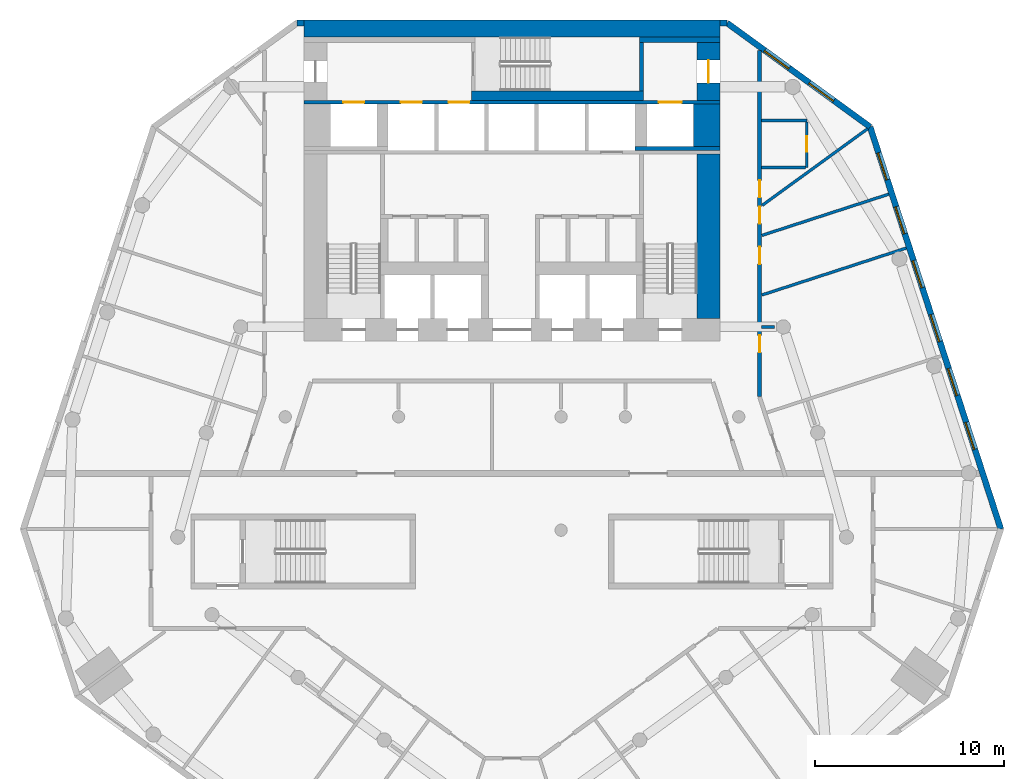
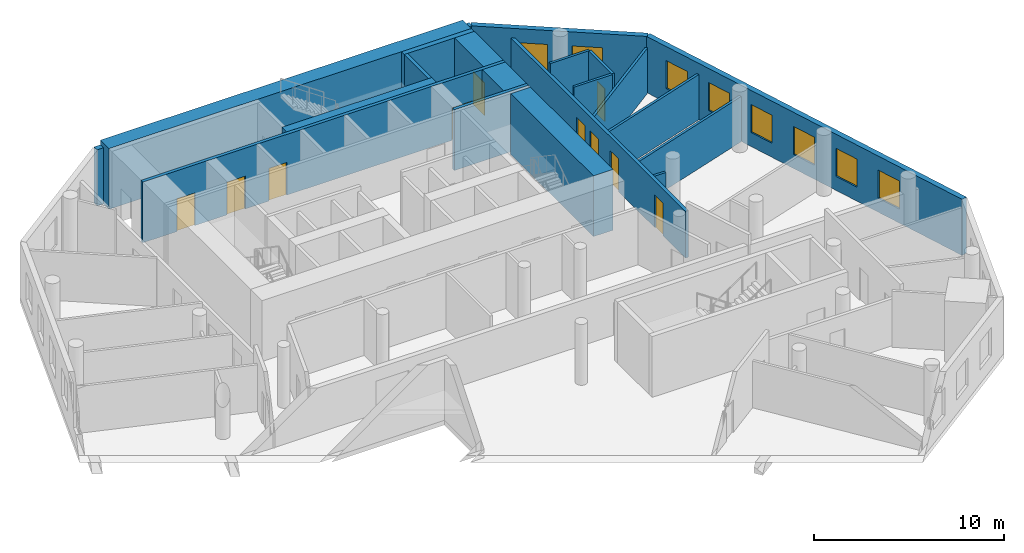
# One storey, part 6 of 9: 21 walls, 10 doors, 8 windows, 18 openings.
"""IFC4 building model written with IfcOpenShell, lengths in metres."""

from ifc_helpers import new_model, si_unit, direction, frame, frame_2d, origin, place, context, subcontext, project, spatial, rectangle, extrude, material, layer, layer_set, type_object, element, fill, save


model = new_model("IFC4")

# Units and contexts
model_context = context("Model", 3, precision=1e-05, world=origin(), true_north=direction((0.0, 1.0)))
body_context = subcontext(model_context, "Body", "Model", "MODEL_VIEW")
ifc_project = project(units=[si_unit("LENGTHUNIT", "METRE"), si_unit("AREAUNIT", "SQUARE_METRE"), si_unit("VOLUMEUNIT", "CUBIC_METRE"), si_unit("PLANEANGLEUNIT", "RADIAN"), si_unit("MASSUNIT", "GRAM", prefix="KILO")], contexts=[model_context])

# Site, building, storey
site_placement = place(None, origin())
site = spatial("IfcSite", under=ifc_project, at=site_placement, CompositionType="ELEMENT")
building_placement = place(site_placement, origin())
building = spatial("IfcBuilding", under=site, at=building_placement, Name="White Candle Pilgrim Tower", CompositionType="ELEMENT")
storey_placement = place(building_placement, frame((0.0, 0.0, 81.89990234375)))
storey = spatial("IfcBuildingStorey", under=building, at=storey_placement, Name="L17", CompositionType="ELEMENT", Elevation=81.89990234375)

# Wall, opening, door
ifc_material_1 = material(Name="Concrete C70/85", Category="concrete")
ifc_layer_1 = layer(ifc_material_1, 1.199951171875)
ifc_layer_set_1 = layer_set([ifc_layer_1], Name="Core wall 1200 mm Concrete C70/85")
wall_type_1 = type_object("IfcWallType", Name="Core wall 1200 mm Concrete C70/85", PredefinedType="SHEAR", material=ifc_layer_set_1)
wall_1_placement = place(storey_placement, frame((80.39990234375, 83.75, 0.0), z_axis=(0.0, 0.0, 1.0), x_axis=(0.0, 1.0, 0.0)))
wall_1 = element("IfcWall", 1, at=wall_1_placement, inside=storey, type_object=wall_type_1, Name="WL-L17-C48", PredefinedType="SHEAR", context=body_context, shape_type="SweptSolid", body=[
    extrude(rectangle(XDim=3.050048828125, YDim=1.199951171875, at=frame_2d((1.52490234375, 0.0))), origin(), (0.0, 0.0, 1.0), 3.900146484375),
])
opening_1_placement = place(wall_1_placement, frame((0.925048828125, 0.0, 0.0)))
opening_1 = element("IfcOpeningElement", 2, at=opening_1_placement, cuts=wall_1, Name="Opening T05-006", PredefinedType="OPENING", context=body_context, shape_type="SweptSolid", body=[
    extrude(rectangle(XDim=1.199951171875, YDim=2.10009765625, at=frame_2d((0.60009765625, 1.050048828125))), frame((0.0, 0.60986328125, 0.0), z_axis=(0.0, -1.0, 0.0), x_axis=(1.0, 0.0, 0.0)), (0.0, 0.0, 1.0), 1.219970703125),
])
ifc_material_2 = material(Name="Steel door leaf", Category="steel")
door_type_1 = type_object("IfcDoorType", Name="Fire door 1200 x 2100 EI 30", OperationType="NOTDEFINED", PredefinedType="DOOR", material=ifc_material_2)
door_1_placement = place(opening_1_placement, origin())
door_1 = element("IfcDoor", 3, at=door_1_placement, inside=storey, type_object=door_type_1, Name="Door T05-006", OperationType="SINGLE_SWING_RIGHT", OverallHeight=2.10009765625, OverallWidth=1.199951171875, PredefinedType="DOOR", context=body_context, shape_type="SweptSolid", body=[
    extrude(rectangle(XDim=1.199951171875, YDim=2.10009765625, at=frame_2d((0.60009765625, 1.050048828125))), frame((0.0, 0.02490234375, 0.0), z_axis=(0.0, -1.0, 0.0), x_axis=(1.0, 0.0, 0.0)), (0.0, 0.0, 1.0), 0.050048828125),
])
fill(opening_1, door_1)

# Walls
ifc_layer_2 = layer(ifc_material_1, 1.39990234375)
ifc_layer_set_2 = layer_set([ifc_layer_2], Name="Core wall 1400 mm Concrete C70/85")
wall_type_2 = type_object("IfcWallType", Name="Core wall 1400 mm Concrete C70/85", PredefinedType="SHEAR", material=ifc_layer_set_2)
wall_2_placement = place(storey_placement, frame((80.300048828125, 81.300048828125, 0.0), z_axis=(0.0, 0.0, 1.0), x_axis=(0.0, 1.0, 0.0)))
element("IfcWall", 4, at=wall_2_placement, inside=storey, type_object=wall_type_2, Name="WL-L17-C44", PredefinedType="SHEAR", context=body_context, shape_type="SweptSolid", body=[
    extrude(rectangle(XDim=2.25, YDim=1.39990234375, at=frame_2d((1.125, 0.0))), origin(), (0.0, 0.0, 1.0), 3.900146484375),
])
ifc_layer_3 = layer(ifc_material_1, 0.199951171875)
ifc_layer_set_3 = layer_set([ifc_layer_3], Name="Core wall 200 mm Concrete C70/85")
wall_type_3 = type_object("IfcWallType", Name="Core wall 200 mm Concrete C70/85", PredefinedType="SHEAR", material=ifc_layer_set_3)
wall_3_placement = place(storey_placement, frame((76.5, 81.199951171875, 0.0), z_axis=(0.0, 0.0, 1.0), x_axis=(1.0, 0.0, 0.0)))
element("IfcWall", 5, at=wall_3_placement, inside=storey, type_object=wall_type_3, Name="WL-L17-C40", PredefinedType="SHEAR", context=body_context, shape_type="SweptSolid", body=[
    extrude(rectangle(XDim=4.5, YDim=0.199951171875, at=frame_2d((2.25, 0.0))), origin(), (0.0, 0.0, 1.0), 3.900146484375),
])

# Wall, openings, doors
wall_4_placement = place(storey_placement, frame((59.0, 83.64990234375, 0.0), z_axis=(0.0, 0.0, 1.0), x_axis=(1.0, 0.0, 0.0)))
wall_4 = element("IfcWall", 6, at=wall_4_placement, inside=storey, type_object=wall_type_3, Name="WL-L17-C45", PredefinedType="SHEAR", context=body_context, shape_type="SweptSolid", body=[
    extrude(rectangle(XDim=22.0, YDim=0.199951171875, at=frame_2d((11.0, 0.0))), origin(), (0.0, 0.0, 1.0), 3.900146484375),
])
opening_2_placement = place(wall_4_placement, frame((5.125, 0.0, 0.0)))
opening_2 = element("IfcOpeningElement", 7, at=opening_2_placement, cuts=wall_4, Name="Opening T05-011", PredefinedType="OPENING", context=body_context, shape_type="SweptSolid", body=[
    extrude(rectangle(XDim=1.10009765625, YDim=2.10009765625, at=frame_2d((0.550048828125, 1.050048828125))), frame((0.0, 0.10986328125, 0.0), z_axis=(0.0, -1.0, 0.0), x_axis=(1.0, 0.0, 0.0)), (0.0, 0.0, 1.0), 0.219970703125),
])
opening_3_placement = place(wall_4_placement, frame((7.64990234375, 0.0, 0.0)))
opening_3 = element("IfcOpeningElement", 8, at=opening_3_placement, cuts=wall_4, Name="Opening T05-012", PredefinedType="OPENING", context=body_context, shape_type="SweptSolid", body=[
    extrude(rectangle(XDim=1.10009765625, YDim=2.10009765625, at=frame_2d((0.550048828125, 1.050048828125))), frame((0.0, 0.10986328125, 0.0), z_axis=(0.0, -1.0, 0.0), x_axis=(1.0, 0.0, 0.0)), (0.0, 0.0, 1.0), 0.219970703125),
])
opening_4_placement = place(wall_4_placement, frame((18.77490234375, 0.0, 0.0)))
opening_4 = element("IfcOpeningElement", 9, at=opening_4_placement, cuts=wall_4, Name="Opening T05-018", PredefinedType="OPENING", context=body_context, shape_type="SweptSolid", body=[
    extrude(rectangle(XDim=1.199951171875, YDim=2.10009765625, at=frame_2d((0.60009765625, 1.050048828125))), frame((0.0, 0.10986328125, 0.0), z_axis=(0.0, -1.0, 0.0), x_axis=(1.0, 0.0, 0.0)), (0.0, 0.0, 1.0), 0.219970703125),
])
opening_5_placement = place(wall_4_placement, frame((2.074951171875, 0.0, 0.0)))
opening_5 = element("IfcOpeningElement", 10, at=opening_5_placement, cuts=wall_4, Name="Opening T05-019", PredefinedType="OPENING", context=body_context, shape_type="SweptSolid", body=[
    extrude(rectangle(XDim=1.10009765625, YDim=2.10009765625, at=frame_2d((0.550048828125, 1.050048828125))), frame((0.0, 0.10986328125, 0.0), z_axis=(0.0, -1.0, 0.0), x_axis=(1.0, 0.0, 0.0)), (0.0, 0.0, 1.0), 0.219970703125),
])
ifc_material_3 = material(Name="Stainless steel", Category="steel")
door_type_2 = type_object("IfcDoorType", Name="Lift landing door 1100 x 2100 EI 60", OperationType="DOUBLE_DOOR_SLIDING", PredefinedType="DOOR", material=ifc_material_3)
door_2_placement = place(opening_2_placement, origin())
door_2 = element("IfcDoor", 11, at=door_2_placement, inside=storey, type_object=door_type_2, Name="Door T05-011", OperationType="DOUBLE_DOOR_SLIDING", OverallHeight=2.10009765625, OverallWidth=1.10009765625, PredefinedType="DOOR", context=body_context, shape_type="SweptSolid", body=[
    extrude(rectangle(XDim=1.10009765625, YDim=2.10009765625, at=frame_2d((0.550048828125, 1.050048828125))), frame((0.0, 0.02490234375, 0.0), z_axis=(0.0, -1.0, 0.0), x_axis=(1.0, 0.0, 0.0)), (0.0, 0.0, 1.0), 0.050048828125),
])
fill(opening_2, door_2)
door_3_placement = place(opening_3_placement, origin())
door_3 = element("IfcDoor", 12, at=door_3_placement, inside=storey, type_object=door_type_2, Name="Door T05-012", OperationType="DOUBLE_DOOR_SLIDING", OverallHeight=2.10009765625, OverallWidth=1.10009765625, PredefinedType="DOOR", context=body_context, shape_type="SweptSolid", body=[
    extrude(rectangle(XDim=1.10009765625, YDim=2.10009765625, at=frame_2d((0.550048828125, 1.050048828125))), frame((0.0, 0.02490234375, 0.0), z_axis=(0.0, -1.0, 0.0), x_axis=(1.0, 0.0, 0.0)), (0.0, 0.0, 1.0), 0.050048828125),
])
fill(opening_3, door_3)
door_4_placement = place(opening_5_placement, origin())
door_4 = element("IfcDoor", 13, at=door_4_placement, inside=storey, type_object=door_type_2, Name="Door T05-019", OperationType="DOUBLE_DOOR_SLIDING", OverallHeight=2.10009765625, OverallWidth=1.10009765625, PredefinedType="DOOR", context=body_context, shape_type="SweptSolid", body=[
    extrude(rectangle(XDim=1.10009765625, YDim=2.10009765625, at=frame_2d((0.550048828125, 1.050048828125))), frame((0.0, 0.02490234375, 0.0), z_axis=(0.0, -1.0, 0.0), x_axis=(1.0, 0.0, 0.0)), (0.0, 0.0, 1.0), 0.050048828125),
])
fill(opening_5, door_4)
door_type_3 = type_object("IfcDoorType", Name="Lift landing door 1200 x 2100 E 60", OperationType="DOUBLE_DOOR_SLIDING", PredefinedType="DOOR", material=ifc_material_3)
door_5_placement = place(opening_4_placement, origin())
door_5 = element("IfcDoor", 14, at=door_5_placement, inside=storey, type_object=door_type_3, Name="Door T05-018", OperationType="DOUBLE_DOOR_SLIDING", OverallHeight=2.10009765625, OverallWidth=1.199951171875, PredefinedType="DOOR", context=body_context, shape_type="SweptSolid", body=[
    extrude(rectangle(XDim=1.199951171875, YDim=2.10009765625, at=frame_2d((0.60009765625, 1.050048828125))), frame((0.0, 0.02490234375, 0.0), z_axis=(0.0, -1.0, 0.0), x_axis=(1.0, 0.0, 0.0)), (0.0, 0.0, 1.0), 0.050048828125),
])
fill(opening_4, door_5)

ifc_material_4 = material(Name="Gypsum board on steel studs", Category="steel")
ifc_layer_4 = layer(ifc_material_4, 0.199951171875)
ifc_layer_set_4 = layer_set([ifc_layer_4], Name="Corridor wall 200 mm EI 45")
wall_type_4 = type_object("IfcWallType", Name="Corridor wall 200 mm EI 45", PredefinedType="PARTITIONING", material=ifc_layer_set_4)
wall_5_placement = place(storey_placement, frame((83.10009765625, 86.396240234375, 0.0), z_axis=(0.0, 0.0, 1.0), x_axis=(0.0, -1.0, 0.0)))
wall_5 = element("IfcWall", 15, at=wall_5_placement, inside=storey, type_object=wall_type_4, Name="WL-L17-P004", PredefinedType="PARTITIONING", context=body_context, shape_type="SweptSolid", body=[
    extrude(rectangle(XDim=18.3193359375, YDim=0.199951171875, at=frame_2d((9.15966796875, 0.0))), origin(), (0.0, 0.0, 1.0), 3.0),
])
opening_6_placement = place(wall_5_placement, frame((6.8818359375, 0.0, 0.0)))
opening_6 = element("IfcOpeningElement", 16, at=opening_6_placement, cuts=wall_5, Name="Opening T05-124", PredefinedType="OPENING", context=body_context, shape_type="SweptSolid", body=[
    extrude(rectangle(XDim=0.89990234375, YDim=2.10009765625, at=frame_2d((0.449951171875, 1.050048828125))), frame((0.0, 0.10986328125, 0.0), z_axis=(0.0, -1.0, 0.0), x_axis=(1.0, 0.0, 0.0)), (0.0, 0.0, 1.0), 0.219970703125),
])
opening_7_placement = place(wall_5_placement, frame((8.273193359375, 0.0, 0.0)))
opening_7 = element("IfcOpeningElement", 17, at=opening_7_placement, cuts=wall_5, Name="Opening T05-125", PredefinedType="OPENING", context=body_context, shape_type="SweptSolid", body=[
    extrude(rectangle(XDim=0.89990234375, YDim=2.10009765625, at=frame_2d((0.449951171875, 1.050048828125))), frame((0.0, 0.10986328125, 0.0), z_axis=(0.0, -1.0, 0.0), x_axis=(1.0, 0.0, 0.0)), (0.0, 0.0, 1.0), 0.219970703125),
])
opening_8_placement = place(wall_5_placement, frame((10.408935546875, 0.0, 0.0)))
opening_8 = element("IfcOpeningElement", 18, at=opening_8_placement, cuts=wall_5, Name="Opening T05-126", PredefinedType="OPENING", context=body_context, shape_type="SweptSolid", body=[
    extrude(rectangle(XDim=0.89990234375, YDim=2.10009765625, at=frame_2d((0.449951171875, 1.050048828125))), frame((0.0, 0.10986328125, 0.0), z_axis=(0.0, -1.0, 0.0), x_axis=(1.0, 0.0, 0.0)), (0.0, 0.0, 1.0), 0.219970703125),
])
opening_9_placement = place(wall_5_placement, frame((15.08837890625, 0.0, 0.0)))
opening_9 = element("IfcOpeningElement", 19, at=opening_9_placement, cuts=wall_5, Name="Opening T05-127", PredefinedType="OPENING", context=body_context, shape_type="SweptSolid", body=[
    extrude(rectangle(XDim=0.89990234375, YDim=2.10009765625, at=frame_2d((0.449951171875, 1.050048828125))), frame((0.0, 0.10986328125, 0.0), z_axis=(0.0, -1.0, 0.0), x_axis=(1.0, 0.0, 0.0)), (0.0, 0.0, 1.0), 0.219970703125),
])
door_type_4 = type_object("IfcDoorType", Name="Fire door 900 x 2100 EI 30", OperationType="NOTDEFINED", PredefinedType="DOOR", material=ifc_material_2)
door_6_placement = place(opening_6_placement, origin())
door_6 = element("IfcDoor", 20, at=door_6_placement, inside=storey, type_object=door_type_4, Name="Door T05-124", OperationType="SINGLE_SWING_RIGHT", OverallHeight=2.10009765625, OverallWidth=0.89990234375, PredefinedType="DOOR", context=body_context, shape_type="SweptSolid", body=[
    extrude(rectangle(XDim=0.89990234375, YDim=2.10009765625, at=frame_2d((0.449951171875, 1.050048828125))), frame((0.0, 0.02490234375, 0.0), z_axis=(0.0, -1.0, 0.0), x_axis=(1.0, 0.0, 0.0)), (0.0, 0.0, 1.0), 0.050048828125),
])
fill(opening_6, door_6)
door_7_placement = place(opening_7_placement, origin())
door_7 = element("IfcDoor", 21, at=door_7_placement, inside=storey, type_object=door_type_4, Name="Door T05-125", OperationType="SINGLE_SWING_LEFT", OverallHeight=2.10009765625, OverallWidth=0.89990234375, PredefinedType="DOOR", context=body_context, shape_type="SweptSolid", body=[
    extrude(rectangle(XDim=0.89990234375, YDim=2.10009765625, at=frame_2d((0.449951171875, 1.050048828125))), frame((0.0, 0.02490234375, 0.0), z_axis=(0.0, -1.0, 0.0), x_axis=(1.0, 0.0, 0.0)), (0.0, 0.0, 1.0), 0.050048828125),
])
fill(opening_7, door_7)
door_8_placement = place(opening_8_placement, origin())
door_8 = element("IfcDoor", 22, at=door_8_placement, inside=storey, type_object=door_type_4, Name="Door T05-126", OperationType="SINGLE_SWING_RIGHT", OverallHeight=2.10009765625, OverallWidth=0.89990234375, PredefinedType="DOOR", context=body_context, shape_type="SweptSolid", body=[
    extrude(rectangle(XDim=0.89990234375, YDim=2.10009765625, at=frame_2d((0.449951171875, 1.050048828125))), frame((0.0, 0.02490234375, 0.0), z_axis=(0.0, -1.0, 0.0), x_axis=(1.0, 0.0, 0.0)), (0.0, 0.0, 1.0), 0.050048828125),
])
fill(opening_8, door_8)
door_9_placement = place(opening_9_placement, origin())
door_9 = element("IfcDoor", 23, at=door_9_placement, inside=storey, type_object=door_type_4, Name="Door T05-127", OperationType="SINGLE_SWING_LEFT", OverallHeight=2.10009765625, OverallWidth=0.89990234375, PredefinedType="DOOR", context=body_context, shape_type="SweptSolid", body=[
    extrude(rectangle(XDim=0.89990234375, YDim=2.10009765625, at=frame_2d((0.449951171875, 1.050048828125))), frame((0.0, 0.02490234375, 0.0), z_axis=(0.0, -1.0, 0.0), x_axis=(1.0, 0.0, 0.0)), (0.0, 0.0, 1.0), 0.050048828125),
])
fill(opening_9, door_9)

# Wall, openings, windows
ifc_material_5 = material(Name="Precast concrete C40/50", Category="concrete")
ifc_layer_5 = layer(ifc_material_5, 0.320068359375)
ifc_layer_set_5 = layer_set([ifc_layer_5], Name="Facade wall EW1 precast concrete C40/50 pier wall with timber-lined reveals")
wall_type_5 = type_object("IfcWallType", Name="Facade wall EW1 precast concrete C40/50 pier wall with timber-lined reveals", PredefinedType="SOLIDWALL", material=ifc_layer_set_5)
wall_6_placement = place(storey_placement, frame((95.868408203125, 61.059814453125, 0.0), z_axis=(0.0, 0.0, 1.0), x_axis=(-0.309020941063, 0.951055233929, 0.0)))
wall_6 = element("IfcWall", 24, at=wall_6_placement, inside=storey, type_object=wall_type_5, Name="Facade wall L17 ENE", PredefinedType="SOLIDWALL", context=body_context, shape_type="SweptSolid", body=[
    extrude(rectangle(XDim=22.37646484375, YDim=0.320068359375, at=frame_2d((11.188232421875, 0.0))), origin(), (0.0, 0.0, 1.0), 3.60009765625),
])
opening_10_placement = place(wall_6_placement, frame((4.438232421875, 0.0, 0.89990234375)))
opening_10 = element("IfcOpeningElement", 25, at=opening_10_placement, cuts=wall_6, Name="Opening W1", PredefinedType="OPENING", context=body_context, shape_type="SweptSolid", body=[
    extrude(rectangle(XDim=1.5, YDim=1.800048828125, at=frame_2d((0.75, 0.89990234375))), frame((0.0, 0.169921875, 0.0), z_axis=(0.0, -1.0, 0.0), x_axis=(1.0, 0.0, 0.0)), (0.0, 0.0, 1.0), 0.340087890625),
])
opening_11_placement = place(wall_6_placement, frame((7.438232421875, 0.0, 0.89990234375)))
opening_11 = element("IfcOpeningElement", 26, at=opening_11_placement, cuts=wall_6, Name="Opening W1", PredefinedType="OPENING", context=body_context, shape_type="SweptSolid", body=[
    extrude(rectangle(XDim=1.5, YDim=1.800048828125, at=frame_2d((0.75, 0.89990234375))), frame((0.0, 0.169921875, 0.0), z_axis=(0.0, -1.0, 0.0), x_axis=(1.0, 0.0, 0.0)), (0.0, 0.0, 1.0), 0.340087890625),
])
opening_12_placement = place(wall_6_placement, frame((10.438232421875, 0.0, 0.89990234375)))
opening_12 = element("IfcOpeningElement", 27, at=opening_12_placement, cuts=wall_6, Name="Opening W1", PredefinedType="OPENING", context=body_context, shape_type="SweptSolid", body=[
    extrude(rectangle(XDim=1.5, YDim=1.800048828125, at=frame_2d((0.75, 0.89990234375))), frame((0.0, 0.169921875, 0.0), z_axis=(0.0, -1.0, 0.0), x_axis=(1.0, 0.0, 0.0)), (0.0, 0.0, 1.0), 0.340087890625),
])
opening_13_placement = place(wall_6_placement, frame((13.438232421875, 0.0, 0.89990234375)))
opening_13 = element("IfcOpeningElement", 28, at=opening_13_placement, cuts=wall_6, Name="Opening W1", PredefinedType="OPENING", context=body_context, shape_type="SweptSolid", body=[
    extrude(rectangle(XDim=1.5, YDim=1.800048828125, at=frame_2d((0.75, 0.89990234375))), frame((0.0, 0.169921875, 0.0), z_axis=(0.0, -1.0, 0.0), x_axis=(1.0, 0.0, 0.0)), (0.0, 0.0, 1.0), 0.340087890625),
])
opening_14_placement = place(wall_6_placement, frame((16.438232421875, 0.0, 0.89990234375)))
opening_14 = element("IfcOpeningElement", 29, at=opening_14_placement, cuts=wall_6, Name="Opening W1", PredefinedType="OPENING", context=body_context, shape_type="SweptSolid", body=[
    extrude(rectangle(XDim=1.5, YDim=1.800048828125, at=frame_2d((0.75, 0.89990234375))), frame((0.0, 0.169921875, 0.0), z_axis=(0.0, -1.0, 0.0), x_axis=(1.0, 0.0, 0.0)), (0.0, 0.0, 1.0), 0.340087890625),
])
opening_15_placement = place(wall_6_placement, frame((19.438232421875, 0.0, 0.89990234375)))
opening_15 = element("IfcOpeningElement", 30, at=opening_15_placement, cuts=wall_6, Name="Opening W1", PredefinedType="OPENING", context=body_context, shape_type="SweptSolid", body=[
    extrude(rectangle(XDim=1.5, YDim=1.800048828125, at=frame_2d((0.75, 0.89990234375))), frame((0.0, 0.169921875, 0.0), z_axis=(0.0, -1.0, 0.0), x_axis=(1.0, 0.0, 0.0)), (0.0, 0.0, 1.0), 0.340087890625),
])
ifc_material_6 = material(Name="Timber frame with triple glazing", Category="wood")
window_type_1 = type_object("IfcWindowType", Name="Window W1 1500x1800 timber frame triple glazing", PartitioningType="SINGLE_PANEL", PredefinedType="WINDOW", material=ifc_material_6)
window_1_placement = place(opening_10_placement, origin())
window_1 = element("IfcWindow", 31, at=window_1_placement, inside=storey, type_object=window_type_1, Name="Window W1 L17 ENE 2", OverallHeight=1.800048828125, OverallWidth=1.5, PartitioningType="SINGLE_PANEL", PredefinedType="WINDOW", context=body_context, shape_type="SweptSolid", body=[
    extrude(rectangle(XDim=1.5, YDim=1.800048828125, at=frame_2d((0.75, 0.89990234375))), frame((0.0, 0.070068359375, 0.0), z_axis=(0.0, -1.0, 0.0), x_axis=(1.0, 0.0, 0.0)), (0.0, 0.0, 1.0), 0.06005859375),
])
fill(opening_10, window_1)
window_2_placement = place(opening_11_placement, origin())
window_2 = element("IfcWindow", 32, at=window_2_placement, inside=storey, type_object=window_type_1, Name="Window W1 L17 ENE 3", OverallHeight=1.800048828125, OverallWidth=1.5, PartitioningType="SINGLE_PANEL", PredefinedType="WINDOW", context=body_context, shape_type="SweptSolid", body=[
    extrude(rectangle(XDim=1.5, YDim=1.800048828125, at=frame_2d((0.75, 0.89990234375))), frame((0.0, 0.070068359375, 0.0), z_axis=(0.0, -1.0, 0.0), x_axis=(1.0, 0.0, 0.0)), (0.0, 0.0, 1.0), 0.06005859375),
])
fill(opening_11, window_2)
window_3_placement = place(opening_12_placement, origin())
window_3 = element("IfcWindow", 33, at=window_3_placement, inside=storey, type_object=window_type_1, Name="Window W1 L17 ENE 4", OverallHeight=1.800048828125, OverallWidth=1.5, PartitioningType="SINGLE_PANEL", PredefinedType="WINDOW", context=body_context, shape_type="SweptSolid", body=[
    extrude(rectangle(XDim=1.5, YDim=1.800048828125, at=frame_2d((0.75, 0.89990234375))), frame((0.0, 0.070068359375, 0.0), z_axis=(0.0, -1.0, 0.0), x_axis=(1.0, 0.0, 0.0)), (0.0, 0.0, 1.0), 0.06005859375),
])
fill(opening_12, window_3)
window_4_placement = place(opening_13_placement, origin())
window_4 = element("IfcWindow", 34, at=window_4_placement, inside=storey, type_object=window_type_1, Name="Window W1 L17 ENE 5", OverallHeight=1.800048828125, OverallWidth=1.5, PartitioningType="SINGLE_PANEL", PredefinedType="WINDOW", context=body_context, shape_type="SweptSolid", body=[
    extrude(rectangle(XDim=1.5, YDim=1.800048828125, at=frame_2d((0.75, 0.89990234375))), frame((0.0, 0.070068359375, 0.0), z_axis=(0.0, -1.0, 0.0), x_axis=(1.0, 0.0, 0.0)), (0.0, 0.0, 1.0), 0.06005859375),
])
fill(opening_13, window_4)
window_5_placement = place(opening_14_placement, origin())
window_5 = element("IfcWindow", 35, at=window_5_placement, inside=storey, type_object=window_type_1, Name="Window W1 L17 ENE 6", OverallHeight=1.800048828125, OverallWidth=1.5, PartitioningType="SINGLE_PANEL", PredefinedType="WINDOW", context=body_context, shape_type="SweptSolid", body=[
    extrude(rectangle(XDim=1.5, YDim=1.800048828125, at=frame_2d((0.75, 0.89990234375))), frame((0.0, 0.070068359375, 0.0), z_axis=(0.0, -1.0, 0.0), x_axis=(1.0, 0.0, 0.0)), (0.0, 0.0, 1.0), 0.06005859375),
])
fill(opening_14, window_5)
window_6_placement = place(opening_15_placement, origin())
window_6 = element("IfcWindow", 36, at=window_6_placement, inside=storey, type_object=window_type_1, Name="Window W1 L17 ENE 7", OverallHeight=1.800048828125, OverallWidth=1.5, PartitioningType="SINGLE_PANEL", PredefinedType="WINDOW", context=body_context, shape_type="SweptSolid", body=[
    extrude(rectangle(XDim=1.5, YDim=1.800048828125, at=frame_2d((0.75, 0.89990234375))), frame((0.0, 0.070068359375, 0.0), z_axis=(0.0, -1.0, 0.0), x_axis=(1.0, 0.0, 0.0)), (0.0, 0.0, 1.0), 0.06005859375),
])
fill(opening_15, window_6)

wall_7_placement = place(storey_placement, frame((88.95361328125, 82.341064453125, 0.0), z_axis=(0.0, 0.0, 1.0), x_axis=(-0.809011346894, 0.587793025304, 0.0)))
wall_7 = element("IfcWall", 37, at=wall_7_placement, inside=storey, type_object=wall_type_5, Name="Facade wall L17 NE chamfer", PredefinedType="SOLIDWALL", context=body_context, shape_type="SweptSolid", body=[
    extrude(rectangle(XDim=9.35546875, YDim=0.320068359375, at=frame_2d((4.677734375, 0.0))), origin(), (0.0, 0.0, 1.0), 3.60009765625),
])
opening_16_placement = place(wall_7_placement, frame((2.377685546875, 0.0, 0.89990234375)))
opening_16 = element("IfcOpeningElement", 38, at=opening_16_placement, cuts=wall_7, Name="Opening W2", PredefinedType="OPENING", context=body_context, shape_type="SweptSolid", body=[
    extrude(rectangle(XDim=1.60009765625, YDim=1.800048828125, at=frame_2d((0.800048828125, 0.89990234375))), frame((0.0, 0.169921875, 0.0), z_axis=(0.0, -1.0, 0.0), x_axis=(1.0, 0.0, 0.0)), (0.0, 0.0, 1.0), 0.340087890625),
])
opening_17_placement = place(wall_7_placement, frame((5.295654296875, 0.0, 0.89990234375)))
opening_17 = element("IfcOpeningElement", 39, at=opening_17_placement, cuts=wall_7, Name="Opening W2", PredefinedType="OPENING", context=body_context, shape_type="SweptSolid", body=[
    extrude(rectangle(XDim=1.60009765625, YDim=1.800048828125, at=frame_2d((0.800048828125, 0.89990234375))), frame((0.0, 0.169921875, 0.0), z_axis=(0.0, -1.0, 0.0), x_axis=(1.0, 0.0, 0.0)), (0.0, 0.0, 1.0), 0.340087890625),
])
window_type_2 = type_object("IfcWindowType", Name="Window W2 1600x1800 timber frame triple glazing", PartitioningType="SINGLE_PANEL", PredefinedType="WINDOW", material=ifc_material_6)
window_7_placement = place(opening_16_placement, origin())
window_7 = element("IfcWindow", 40, at=window_7_placement, inside=storey, type_object=window_type_2, Name="Window W2 L17 NE chamfer 1", OverallHeight=1.800048828125, OverallWidth=1.60009765625, PartitioningType="SINGLE_PANEL", PredefinedType="WINDOW", context=body_context, shape_type="SweptSolid", body=[
    extrude(rectangle(XDim=1.60009765625, YDim=1.800048828125, at=frame_2d((0.800048828125, 0.89990234375))), frame((0.0, 0.070068359375, 0.0), z_axis=(0.0, -1.0, 0.0), x_axis=(1.0, 0.0, 0.0)), (0.0, 0.0, 1.0), 0.06005859375),
])
fill(opening_16, window_7)
window_8_placement = place(opening_17_placement, origin())
window_8 = element("IfcWindow", 41, at=window_8_placement, inside=storey, type_object=window_type_2, Name="Window W2 L17 NE chamfer 2", OverallHeight=1.800048828125, OverallWidth=1.60009765625, PartitioningType="SINGLE_PANEL", PredefinedType="WINDOW", context=body_context, shape_type="SweptSolid", body=[
    extrude(rectangle(XDim=1.60009765625, YDim=1.800048828125, at=frame_2d((0.800048828125, 0.89990234375))), frame((0.0, 0.070068359375, 0.0), z_axis=(0.0, -1.0, 0.0), x_axis=(1.0, 0.0, 0.0)), (0.0, 0.0, 1.0), 0.06005859375),
])
fill(opening_17, window_8)

# Walls
for number, where, z_axis, x_axis, name in (
    (42, (81.385009765625, 87.840087890625, 0.0), (0.0, 0.0, 1.0), (-1.0, 0.0, 0.0), "Facade wall L17 N"),
    (43, (59.0, 87.840087890625, 0.0), (0.0, 0.0, 1.0), (-1.0, 0.0, 0.0), "Facade wall L17 N"),
):
    element("IfcWall", number, at=place(storey_placement, frame(where, z_axis=z_axis, x_axis=x_axis)), inside=storey, type_object=wall_type_5, Name=name, PredefinedType="SOLIDWALL", context=body_context, shape_type="SweptSolid", body=[
        extrude(rectangle(XDim=0.385009765625, YDim=0.320068359375, at=frame_2d((0.1923828125, 0.0))), origin(), (0.0, 0.0, 1.0), 3.60009765625),
    ])
ifc_layer_6 = layer(ifc_material_4, 0.14990234375)
ifc_layer_set_6 = layer_set([ifc_layer_6], Name="Partition 150 mm EI 60")
wall_type_6 = type_object("IfcWallType", Name="Partition 150 mm EI 60", PredefinedType="PARTITIONING", material=ifc_layer_set_6)
wall_8_placement = place(storey_placement, frame((88.817626953125, 82.2421875, 0.0), z_axis=(0.0, 0.0, 1.0), x_axis=(-0.809004176409, -0.587802894305, 0.0)))
element("IfcWall", 44, at=wall_8_placement, inside=storey, type_object=wall_type_6, Name="WL-L17-P023", PredefinedType="PARTITIONING", context=body_context, shape_type="SweptSolid", body=[
    extrude(rectangle(XDim=6.889404296875, YDim=0.14990234375, at=frame_2d((3.44482421875, 0.0))), origin(), (0.0, 0.0, 1.0), 2.900146484375),
])
wall_9_placement = place(storey_placement, frame((90.868408203125, 75.9306640625, 0.0), z_axis=(0.0, 0.0, 1.0), x_axis=(-0.951055269257, -0.309020832339, 0.0)))
element("IfcWall", 45, at=wall_9_placement, inside=storey, type_object=wall_type_6, Name="WL-L17-P038", PredefinedType="PARTITIONING", context=body_context, shape_type="SweptSolid", body=[
    extrude(rectangle(XDim=8.038818359375, YDim=0.14990234375, at=frame_2d((4.01953125, 0.0))), origin(), (0.0, 0.0, 1.0), 2.900146484375),
])
wall_10_placement = place(storey_placement, frame((89.94140625, 78.783935546875, 0.0), z_axis=(0.0, 0.0, 1.0), x_axis=(-0.95105794035, -0.309012611551, 0.0)))
element("IfcWall", 46, at=wall_10_placement, inside=storey, type_object=wall_type_6, Name="WL-L17-P039", PredefinedType="PARTITIONING", context=body_context, shape_type="SweptSolid", body=[
    extrude(rectangle(XDim=7.06396484375, YDim=0.14990234375, at=frame_2d((3.531982421875, 0.0))), origin(), (0.0, 0.0, 1.0), 2.900146484375),
])
wall_11_placement = place(storey_placement, frame((83.199951171875, 82.68798828125, 0.0), z_axis=(0.0, 0.0, 1.0), x_axis=(1.0, 0.0, 0.0)))
element("IfcWall", 47, at=wall_11_placement, inside=storey, type_object=wall_type_6, Name="WL-L17-P040", PredefinedType="PARTITIONING", context=body_context, shape_type="SweptSolid", body=[
    extrude(rectangle(XDim=2.400146484375, YDim=0.14990234375, at=frame_2d((1.2001953125, 0.0))), origin(), (0.0, 0.0, 1.0), 3.60009765625),
])

# Wall, opening, door
wall_12_placement = place(storey_placement, frame((85.60009765625, 80.18798828125, 0.0), z_axis=(0.0, 0.0, 1.0), x_axis=(0.0, 1.0, 0.0)))
wall_12 = element("IfcWall", 48, at=wall_12_placement, inside=storey, type_object=wall_type_6, Name="WL-L17-P041", PredefinedType="PARTITIONING", context=body_context, shape_type="SweptSolid", body=[
    extrude(rectangle(XDim=2.425048828125, YDim=0.14990234375, at=frame_2d((1.21240234375, 0.0))), origin(), (0.0, 0.0, 1.0), 3.60009765625),
])
opening_18_placement = place(wall_12_placement, frame((0.85009765625, 0.0, 0.0)))
opening_18 = element("IfcOpeningElement", 49, at=opening_18_placement, cuts=wall_12, Name="Opening T05-114", PredefinedType="OPENING", context=body_context, shape_type="SweptSolid", body=[
    extrude(rectangle(XDim=0.800048828125, YDim=2.10009765625, at=frame_2d((0.39990234375, 1.050048828125))), frame((0.0, 0.0849609375, 0.0), z_axis=(0.0, -1.0, 0.0), x_axis=(1.0, 0.0, 0.0)), (0.0, 0.0, 1.0), 0.169921875),
])
door_type_5 = type_object("IfcDoorType", Name="Fire door 800 x 2100 EI 30", OperationType="NOTDEFINED", PredefinedType="DOOR", material=ifc_material_2)
door_10_placement = place(opening_18_placement, frame((0.800048828125, 0.0, 0.0), z_axis=(0.0, 0.0, 1.0), x_axis=(-1.0, 0.0, 0.0)))
door_10 = element("IfcDoor", 50, at=door_10_placement, inside=storey, type_object=door_type_5, Name="Door T05-114", OperationType="SINGLE_SWING_LEFT", OverallHeight=2.10009765625, OverallWidth=0.800048828125, PredefinedType="DOOR", context=body_context, shape_type="SweptSolid", body=[
    extrude(rectangle(XDim=0.800048828125, YDim=2.10009765625, at=frame_2d((0.39990234375, 1.050048828125))), frame((0.0, 0.02490234375, 0.0), z_axis=(0.0, -1.0, 0.0), x_axis=(1.0, 0.0, 0.0)), (0.0, 0.0, 1.0), 0.050048828125),
])
fill(opening_18, door_10)

# Walls
wall_13_placement = place(storey_placement, frame((83.199951171875, 80.18798828125, 0.0), z_axis=(0.0, 0.0, 1.0), x_axis=(1.0, 0.0, 0.0)))
element("IfcWall", 51, at=wall_13_placement, inside=storey, type_object=wall_type_6, Name="WL-L17-P042", PredefinedType="PARTITIONING", context=body_context, shape_type="SweptSolid", body=[
    extrude(rectangle(XDim=2.324951171875, YDim=0.14990234375, at=frame_2d((1.16259765625, 0.0))), origin(), (0.0, 0.0, 1.0), 3.60009765625),
])
wall_14_placement = place(storey_placement, frame((83.89501953125, 71.7578125, 0.0), z_axis=(0.0, 0.0, 1.0), x_axis=(-1.0, 0.0, 0.0)))
element("IfcWall", 52, at=wall_14_placement, inside=storey, type_object=wall_type_6, Name="WL-L17-P049", PredefinedType="PARTITIONING", context=body_context, shape_type="SweptSolid", body=[
    extrude(rectangle(XDim=0.695068359375, YDim=0.14990234375, at=frame_2d((0.34765625, 0.0))), origin(), (0.0, 0.0, 1.0), 3.0),
])
ifc_layer_7 = layer(ifc_material_1, 1.199951171875)
ifc_layer_set_7 = layer_set([ifc_layer_7], Name="Stair shaft wall 1200 mm Concrete C70/85")
wall_type_7 = type_object("IfcWallType", Name="Stair shaft wall 1200 mm Concrete C70/85", PredefinedType="SHEAR", material=ifc_layer_set_7)
wall_15_placement = place(storey_placement, frame((80.39990234375, 72.199951171875, 0.0), z_axis=(0.0, 0.0, 1.0), x_axis=(0.0, 1.0, 0.0)))
element("IfcWall", 53, at=wall_15_placement, inside=storey, type_object=wall_type_7, Name="WL-L17-C19", PredefinedType="SHEAR", context=body_context, shape_type="SweptSolid", body=[
    extrude(rectangle(XDim=8.699951171875, YDim=1.199951171875, at=frame_2d((4.35009765625, 0.0))), origin(), (0.0, 0.0, 1.0), 3.900146484375),
])
ifc_layer_8 = layer(ifc_material_1, 0.199951171875)
ifc_layer_set_8 = layer_set([ifc_layer_8], Name="Stair shaft wall 200 mm Concrete C70/85")
wall_type_8 = type_object("IfcWallType", Name="Stair shaft wall 200 mm Concrete C70/85", PredefinedType="SHEAR", material=ifc_layer_set_8)
wall_16_placement = place(storey_placement, frame((76.85009765625, 84.25, 0.0), z_axis=(0.0, 0.0, 1.0), x_axis=(0.0, 1.0, 0.0)))
element("IfcWall", 54, at=wall_16_placement, inside=storey, type_object=wall_type_8, Name="WL-L17-C50", PredefinedType="SHEAR", context=body_context, shape_type="SweptSolid", body=[
    extrude(rectangle(XDim=2.550048828125, YDim=0.199951171875, at=frame_2d((1.27490234375, 0.0))), origin(), (0.0, 0.0, 1.0), 3.900146484375),
])
ifc_layer_9 = layer(ifc_material_1, 0.300048828125)
ifc_layer_set_9 = layer_set([ifc_layer_9], Name="Stair shaft wall 300 mm Concrete C70/85")
wall_type_9 = type_object("IfcWallType", Name="Stair shaft wall 300 mm Concrete C70/85", PredefinedType="SHEAR", material=ifc_layer_set_9)
wall_17_placement = place(storey_placement, frame((76.75, 86.949951171875, 0.0), z_axis=(0.0, 0.0, 1.0), x_axis=(1.0, 0.0, 0.0)))
element("IfcWall", 55, at=wall_17_placement, inside=storey, type_object=wall_type_9, Name="WL-L17-C52", PredefinedType="SHEAR", context=body_context, shape_type="SweptSolid", body=[
    extrude(rectangle(XDim=4.25, YDim=0.300048828125, at=frame_2d((2.125, 0.0))), origin(), (0.0, 0.0, 1.0), 3.900146484375),
])
ifc_layer_10 = layer(ifc_material_1, 0.5)
ifc_layer_set_10 = layer_set([ifc_layer_10], Name="Stair shaft wall 500 mm Concrete C70/85")
wall_type_10 = type_object("IfcWallType", Name="Stair shaft wall 500 mm Concrete C70/85", PredefinedType="SHEAR", material=ifc_layer_set_10)
wall_18_placement = place(storey_placement, frame((67.85009765625, 84.0, 0.0), z_axis=(0.0, 0.0, 1.0), x_axis=(1.0, 0.0, 0.0)))
element("IfcWall", 56, at=wall_18_placement, inside=storey, type_object=wall_type_10, Name="WL-L17-C47", PredefinedType="SHEAR", context=body_context, shape_type="SweptSolid", body=[
    extrude(rectangle(XDim=9.099853515625, YDim=0.5, at=frame_2d((4.5498046875, 0.0))), origin(), (0.0, 0.0, 1.0), 3.900146484375),
])
ifc_layer_11 = layer(ifc_material_1, 0.89990234375)
ifc_layer_set_11 = layer_set([ifc_layer_11], Name="Stair shaft wall 900 mm Concrete C70/85")
wall_type_11 = type_object("IfcWallType", Name="Stair shaft wall 900 mm Concrete C70/85", PredefinedType="SHEAR", material=ifc_layer_set_11)
wall_19_placement = place(storey_placement, frame((59.0, 87.550048828125, 0.0), z_axis=(0.0, 0.0, 1.0), x_axis=(1.0, 0.0, 0.0)))
element("IfcWall", 57, at=wall_19_placement, inside=storey, type_object=wall_type_11, Name="WL-L17-C53", PredefinedType="SHEAR", context=body_context, shape_type="SweptSolid", body=[
    extrude(rectangle(XDim=22.0, YDim=0.89990234375, at=frame_2d((11.0, 0.0))), origin(), (0.0, 0.0, 1.0), 3.900146484375),
])

save(model, "model.ifc")
